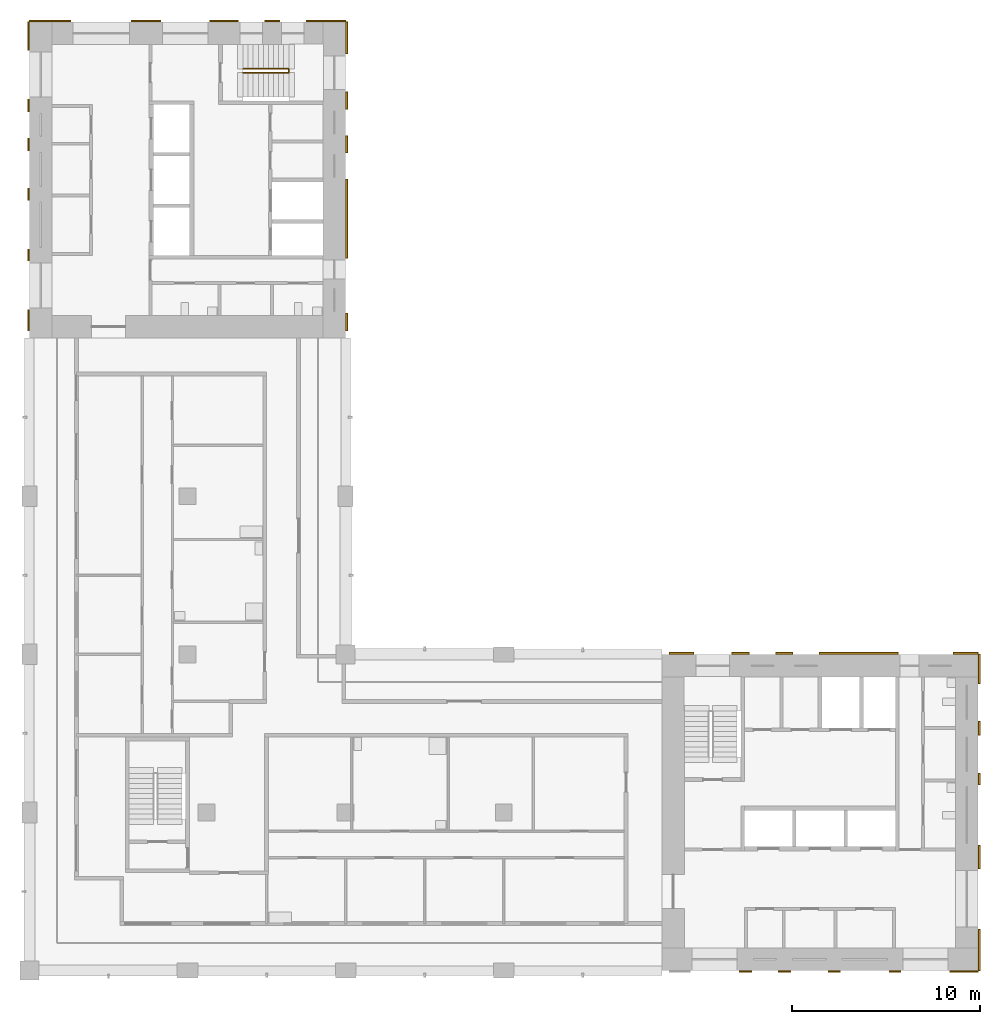
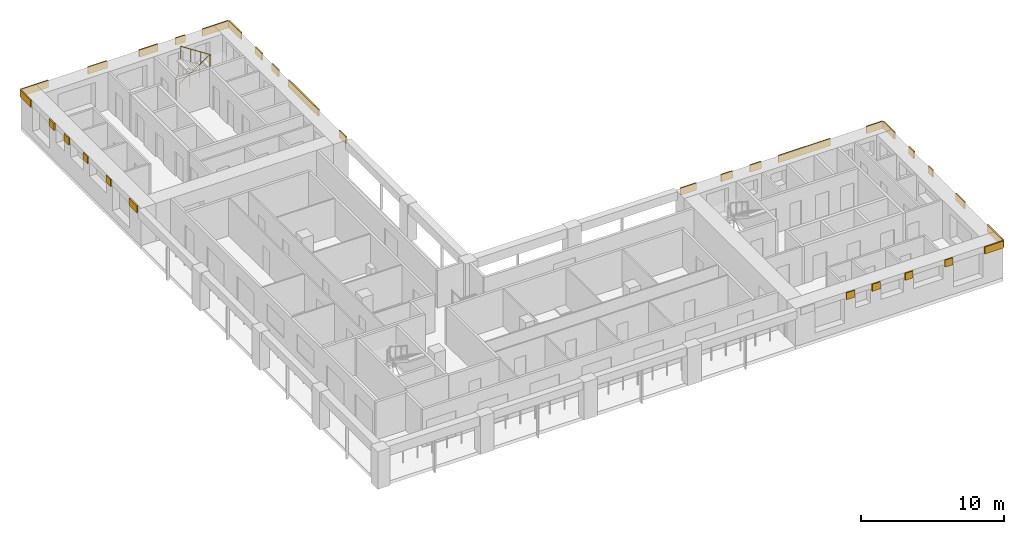
# One storey, part 8 of 9: 31 shading devices, 1 railing.
"""IFC4 building model written with IfcOpenShell, lengths in metres."""

import ifcopenshell
import ifcopenshell.guid

model = None  # the IFC model being written
_history = None  # IfcOwnerHistory: only IFC2X3 demands one
_inside = {}  # id of a spatial element -> (the spatial element, [elements in it])
_under = {}  # id of a project, library or spatial element -> (it, [spatial elements below it])
_declared = {}  # id of a project -> (the project, [libraries it declares])
_typed = {}  # id of a type object -> (the type object, [elements of that type])
_made_of = {}  # id of a material, layer set ... -> (it, [elements and type objects made of it])


def new_model(schema):
    """Start an empty IFC model of exactly this schema.

    Asked for "IFC4X3", IfcOpenShell would pick the latest addendum, in which some entities
    have other attributes; the version numbers below select the first issue.
    IFC2X3 requires an IfcOwnerHistory on every rooted entity: one is made here for all.
    """
    global model, _history
    if schema == "IFC4X3":
        model = ifcopenshell.file(schema_version=(4, 3, 0, 0))
    else:
        model = ifcopenshell.file(schema=schema)
    _inside.clear()
    _under.clear()
    _declared.clear()
    _typed.clear()
    _made_of.clear()
    _history = None
    if model.schema == "IFC2X3":
        org = make("IfcOrganization", Name="unknown")
        user = make(
            "IfcPersonAndOrganization",
            ThePerson=make("IfcPerson", FamilyName="unknown"),
            TheOrganization=org,
        )
        app = make(
            "IfcApplication",
            ApplicationDeveloper=org,
            Version="unknown",
            ApplicationFullName="unknown",
            ApplicationIdentifier="unknown",
        )
        _history = make(
            "IfcOwnerHistory",
            OwningUser=user,
            OwningApplication=app,
            ChangeAction="ADDED",
            CreationDate=0,
        )
    return model


def make(cls, **values):
    """One entity of the class cls with the attributes given. An attribute that is None is left unset."""
    return model.create_entity(
        cls, **{name: value for name, value in values.items() if value is not None}
    )


def rooted(cls, **values):
    """An entity with a GlobalId (a new one), such as an element, a storey or a relation."""
    return make(cls, GlobalId=ifcopenshell.guid.new(), OwnerHistory=_history, **values)


def si_unit(unit_type, name, prefix=None):
    """IfcSIUnit, for example si_unit("LENGTHUNIT", "METRE", prefix="MILLI")."""
    return make("IfcSIUnit", UnitType=unit_type, Prefix=prefix, Name=name)


def assignment(units):
    """IfcUnitAssignment: the units of a project."""
    return None if units is None else make("IfcUnitAssignment", Units=units)


def point(xyz):
    """IfcCartesianPoint."""
    return None if xyz is None else make("IfcCartesianPoint", Coordinates=xyz)


def direction(xyz):
    """IfcDirection."""
    return None if xyz is None else make("IfcDirection", DirectionRatios=xyz)


def frame(location, z_axis=None, x_axis=None):
    """IfcAxis2Placement3D, a coordinate frame: its origin and axes. An axis left out is left unset."""
    return make(
        "IfcAxis2Placement3D",
        Location=point(location),
        Axis=direction(z_axis),
        RefDirection=direction(x_axis),
    )


def frame_2d(location, x_axis=None):
    """IfcAxis2Placement2D, a coordinate frame in the plane: its origin and x axis."""
    return make(
        "IfcAxis2Placement2D", Location=point(location), RefDirection=direction(x_axis)
    )


def origin():
    """The frame at (0, 0, 0) with its axes left unset."""
    return frame((0.0, 0.0, 0.0))


def origin_2d():
    """The frame at (0, 0) in the plane with its x axis left unset."""
    return frame_2d((0.0, 0.0))


def place(relative_to, where):
    """IfcLocalPlacement: puts the frame where relative to a parent placement (None: the world)."""
    return make(
        "IfcLocalPlacement", PlacementRelTo=relative_to, RelativePlacement=where
    )


def context(
    kind, dimensions, precision=None, world=None, true_north=None, identifier=None
):
    """IfcGeometricRepresentationContext, for example the 3D "Model" context."""
    return make(
        "IfcGeometricRepresentationContext",
        ContextIdentifier=identifier,
        ContextType=kind,
        CoordinateSpaceDimension=dimensions,
        Precision=precision,
        WorldCoordinateSystem=world,
        TrueNorth=true_north,
    )


def subcontext(parent, identifier, kind, view, scale=None):
    """IfcGeometricRepresentationSubContext, for example "Body" below "Model"."""
    return make(
        "IfcGeometricRepresentationSubContext",
        ContextIdentifier=identifier,
        ContextType=kind,
        ParentContext=parent,
        TargetScale=scale,
        TargetView=view,
    )


def project(units=None, contexts=None):
    """IfcProject with its units and contexts."""
    return rooted(
        "IfcProject",
        Name="project",
        RepresentationContexts=contexts,
        UnitsInContext=assignment(units),
    )


def spatial(cls, under=None, at=None, **own):
    """A site, building, storey or space (cls), placed at a placement, below another one or the project."""
    s = rooted(cls, ObjectPlacement=at, **own)
    if under is not None:
        _under.setdefault(under.id(), (under, []))[1].append(s)
    return s


def profile(cls, at=None, kind="AREA", **sizes):
    """A parametric profile (cls). Its sizes go by their IFC names, for example OverallWidth=200.0."""
    return make(cls, ProfileType=kind, Position=at, **sizes)


def rectangle(**sizes):
    """IfcRectangleProfileDef."""
    return profile("IfcRectangleProfileDef", **sizes)


def circle(**sizes):
    """IfcCircleProfileDef."""
    return profile("IfcCircleProfileDef", **sizes)


def extrude(swept, where, along, depth):
    """IfcExtrudedAreaSolid: the profile swept, set in the frame where, extruded along a direction by depth."""
    return make(
        "IfcExtrudedAreaSolid",
        SweptArea=swept,
        Position=where,
        ExtrudedDirection=direction(along),
        Depth=depth,
    )


def shape(context_of_items, identifier, shape_type, items):
    """IfcShapeRepresentation: the items that make up one representation, for example the "Body"."""
    return make(
        "IfcShapeRepresentation",
        ContextOfItems=context_of_items,
        RepresentationIdentifier=identifier,
        RepresentationType=shape_type,
        Items=items,
    )


def material(Name=None, Category=None):
    """IfcMaterial."""
    return make("IfcMaterial", Name=Name, Category=Category)


def layer(
    of_material, thickness, ventilated=None, Name=None, Category=None, Priority=None
):
    """IfcMaterialLayer: one layer of a wall or slab, of a material (None: an air gap)."""
    return make(
        "IfcMaterialLayer",
        Material=of_material,
        LayerThickness=thickness,
        IsVentilated=ventilated,
        Name=Name,
        Category=Category,
        Priority=Priority,
    )


def layer_set(layers, Name=None):
    """IfcMaterialLayerSet."""
    return make("IfcMaterialLayerSet", MaterialLayers=layers, LayerSetName=Name)


def made_of(thing, what):
    """Note that an element or type object is made of a material, layer set ...; save() writes the relation."""
    if what is not None:
        _made_of.setdefault(what.id(), (what, []))[1].append(thing)
    return thing


def type_object(cls, material=None, **own):
    """A type object (cls), such as IfcWallType, which elements share."""
    return made_of(rooted(cls, **own), material)


def element(
    cls,
    number,
    at=None,
    inside=None,
    cuts=None,
    type_object=None,
    material=None,
    context=None,
    identifier="Body",
    shape_type=None,
    held_by="IfcProductDefinitionShape",
    body=None,
    shapes=None,
    **own,
):
    """One element of the class cls, such as IfcWall. Its Tag is "e" and its number.

    at: its placement. inside: the storey or other place that contains it. cuts: it is an
    opening in that element (IfcRelVoidsElement). A single representation is given by context,
    identifier, shape_type and body (its items); several are given by shapes. held_by: the class
    of the entity that holds the representations. save() writes the other relations.
    """
    e = rooted(cls, Tag="e%d" % number, ObjectPlacement=at, **own)
    if body is not None:
        shapes = [shape(context, identifier, shape_type, body)]
    if shapes is not None:
        e.Representation = make(held_by, Representations=shapes)
    if inside is not None:
        _inside.setdefault(inside.id(), (inside, []))[1].append(e)
    if cuts is not None:
        rooted(
            "IfcRelVoidsElement", RelatingBuildingElement=cuts, RelatedOpeningElement=e
        )
    if type_object is not None:
        _typed.setdefault(type_object.id(), (type_object, []))[1].append(e)
    return made_of(e, material)


def aggregate(whole, parts):
    """IfcRelAggregates: a whole, such as a stair, and the parts it consists of."""
    return rooted("IfcRelAggregates", RelatingObject=whole, RelatedObjects=parts)


def save(model, path):
    """Write the relations noted so far, then the file.

    IfcRelAggregates (storeys below a building ...), IfcRelContainedInSpatialStructure (elements
    in a storey), IfcRelDefinesByType, IfcRelAssociatesMaterial and IfcRelDeclares: one each for
    every whole, place, type object, material and project.
    """
    for whole, parts in _under.values():
        aggregate(whole, parts)
    for where, things in _inside.values():
        rooted(
            "IfcRelContainedInSpatialStructure",
            RelatedElements=things,
            RelatingStructure=where,
        )
    for kind, things in _typed.values():
        rooted("IfcRelDefinesByType", RelatedObjects=things, RelatingType=kind)
    for what, things in _made_of.values():
        rooted("IfcRelAssociatesMaterial", RelatedObjects=things, RelatingMaterial=what)
    for by, libraries in _declared.values():
        rooted("IfcRelDeclares", RelatingContext=by, RelatedDefinitions=libraries)
    model.write(path)


model = new_model("IFC4")

# Units and contexts
model_context = context("Model", 3, precision=1e-05, world=origin(), true_north=direction((0.0, 1.0)))
body_context = subcontext(model_context, "Body", "Model", "MODEL_VIEW")
ifc_project = project(units=[si_unit("LENGTHUNIT", "METRE"), si_unit("AREAUNIT", "SQUARE_METRE"), si_unit("VOLUMEUNIT", "CUBIC_METRE"), si_unit("PLANEANGLEUNIT", "RADIAN"), si_unit("MASSUNIT", "GRAM", prefix="KILO")], contexts=[model_context])

# Site, building, storey
site_placement = place(None, origin())
site = spatial("IfcSite", under=ifc_project, at=site_placement, CompositionType="ELEMENT")
building_placement = place(site_placement, origin())
building = spatial("IfcBuilding", under=site, at=building_placement, Name="Vermilion Gate Residences", CompositionType="ELEMENT")
storey_placement = place(building_placement, frame((0.0, 0.0, 228.199951171875)))
storey = spatial("IfcBuildingStorey", under=building, at=storey_placement, Name="L59", CompositionType="ELEMENT", Elevation=228.199951171875)

# Railing
ifc_material_1 = material(Name="Steel S355", Category="steel")
railing_type = type_object("IfcRailingType", Name="STAIR GUARD 1100 STEEL", PredefinedType="GUARDRAIL", material=ifc_material_1)
railing_placement = place(storey_placement, frame((19.75, 56.300048828125, 0.175048828125)))
element("IfcRailing", 1, at=railing_placement, inside=storey, type_object=railing_type, Name="Stair well guard STB1-59", PredefinedType="GUARDRAIL", context=body_context, shape_type="SweptSolid", body=[
    extrude(circle(Radius=0.02392578125, at=origin_2d()), frame((0.0, 0.0, 1.076171875), z_axis=(0.839153699163, 0.0, 0.543894354798), x_axis=(0.0, 1.0, 0.0)), (0.0, 0.0, 1.0), 2.895751953125),
    extrude(circle(Radius=0.02392578125, at=origin_2d()), frame((2.429931640625, 0.0, 2.65087890625), z_axis=(0.0, -0.752405939678, 0.658699705433), x_axis=(1.0, 0.0, 0.0)), (0.0, 0.0, 1.0), 0.265869140625),
    extrude(circle(Radius=0.02392578125, at=origin_2d()), frame((2.429931640625, -0.199951171875, 2.826171875), z_axis=(-0.839153699163, 0.0, 0.543894354798), x_axis=(0.0, -1.0, 0.0)), (0.0, 0.0, 1.0), 2.895751953125),
    extrude(circle(Radius=0.02099609375, at=origin_2d()), origin(), (0.0, 0.0, 1.0), 1.052001953125),
    extrude(circle(Radius=0.02099609375, at=origin_2d()), frame((0.81005859375, 0.0, 0.52490234375)), (0.0, 0.0, 1.0), 1.052001953125),
    extrude(circle(Radius=0.02099609375, at=origin_2d()), frame((1.619873046875, 0.0, 1.050048828125)), (0.0, 0.0, 1.0), 1.052001953125),
    extrude(circle(Radius=0.02099609375, at=origin_2d()), frame((2.429931640625, 0.0, 1.574951171875)), (0.0, 0.0, 1.0), 1.052001953125),
    extrude(circle(Radius=0.02099609375, at=origin_2d()), frame((2.429931640625, -0.199951171875, 1.75)), (0.0, 0.0, 1.0), 1.052001953125),
    extrude(circle(Radius=0.02099609375, at=origin_2d()), frame((1.619873046875, -0.199951171875, 2.27490234375)), (0.0, 0.0, 1.0), 1.052001953125),
    extrude(circle(Radius=0.02099609375, at=origin_2d()), frame((0.81005859375, -0.199951171875, 2.800048828125)), (0.0, 0.0, 1.0), 1.052001953125),
    extrude(circle(Radius=0.02099609375, at=origin_2d()), frame((0.0, -0.199951171875, 3.324951171875)), (0.0, 0.0, 1.0), 1.052001953125),
])

# Shading devices
ifc_material_2 = material(Name="Extruded terracotta", Category="masonry")
ifc_layer = layer(ifc_material_2, 0.10009765625)
ifc_layer_set = layer_set([ifc_layer], Name="TERRACOTTA SPANDREL BAND 600 X 100")
shading_device_type = type_object("IfcShadingDeviceType", Name="TERRACOTTA SPANDREL BAND 600 X 100", PredefinedType="USERDEFINED", material=ifc_layer_set)
shading_device_1_placement = place(storey_placement, frame((46.4375, 8.35009765625, 2.6201171875), z_axis=(0.0, 0.0, 1.0), x_axis=(1.0, 0.0, 0.0)))
element("IfcShadingDevice", 2, at=shading_device_1_placement, inside=storey, type_object=shading_device_type, Name="SPANDREL BAND", ObjectType="BAND", PredefinedType="USERDEFINED", context=body_context, shape_type="SweptSolid", body=[
    extrude(rectangle(XDim=0.675048828125, YDim=0.10009765625, at=origin_2d()), origin(), (0.0, 0.0, 1.0), 0.60009765625),
])
shading_device_2_placement = place(storey_placement, frame((48.510009765625, 8.35009765625, 2.6201171875), z_axis=(0.0, 0.0, 1.0), x_axis=(1.0, 0.0, 0.0)))
element("IfcShadingDevice", 3, at=shading_device_2_placement, inside=storey, type_object=shading_device_type, Name="SPANDREL BAND", ObjectType="BAND", PredefinedType="USERDEFINED", context=body_context, shape_type="SweptSolid", body=[
    extrude(rectangle(XDim=0.669921875, YDim=0.10009765625, at=origin_2d()), origin(), (0.0, 0.0, 1.0), 0.60009765625),
])
shading_device_3_placement = place(storey_placement, frame((51.157470703125, 8.35009765625, 2.6201171875), z_axis=(0.0, 0.0, 1.0), x_axis=(1.0, 0.0, 0.0)))
element("IfcShadingDevice", 4, at=shading_device_3_placement, inside=storey, type_object=shading_device_type, Name="SPANDREL BAND", ObjectType="BAND", PredefinedType="USERDEFINED", context=body_context, shape_type="SweptSolid", body=[
    extrude(rectangle(XDim=0.625, YDim=0.10009765625, at=origin_2d()), origin(), (0.0, 0.0, 1.0), 0.60009765625),
])
shading_device_4_placement = place(storey_placement, frame((54.385009765625, 8.35009765625, 2.6201171875), z_axis=(0.0, 0.0, 1.0), x_axis=(1.0, 0.0, 0.0)))
element("IfcShadingDevice", 5, at=shading_device_4_placement, inside=storey, type_object=shading_device_type, Name="SPANDREL BAND", ObjectType="BAND", PredefinedType="USERDEFINED", context=body_context, shape_type="SweptSolid", body=[
    extrude(rectangle(XDim=0.6298828125, YDim=0.10009765625, at=origin_2d()), origin(), (0.0, 0.0, 1.0), 0.60009765625),
])
shading_device_5_placement = place(storey_placement, frame((58.050048828125, 8.35009765625, 2.6201171875), z_axis=(0.0, 0.0, 1.0), x_axis=(1.0, 0.0, 0.0)))
element("IfcShadingDevice", 6, at=shading_device_5_placement, inside=storey, type_object=shading_device_type, Name="SPANDREL BAND", ObjectType="BAND", PredefinedType="USERDEFINED", context=body_context, shape_type="SweptSolid", body=[
    extrude(rectangle(XDim=1.5, YDim=0.10009765625, at=origin_2d()), origin(), (0.0, 0.0, 1.0), 0.60009765625),
])
shading_device_6_placement = place(storey_placement, frame((43.050048828125, 25.25, 2.6201171875), z_axis=(0.0, 0.0, 1.0), x_axis=(1.0, 0.0, 0.0)))
element("IfcShadingDevice", 7, at=shading_device_6_placement, inside=storey, type_object=shading_device_type, Name="SPANDREL BAND", ObjectType="BAND", PredefinedType="USERDEFINED", context=body_context, shape_type="SweptSolid", body=[
    extrude(rectangle(XDim=1.300048828125, YDim=0.10009765625, at=origin_2d()), origin(), (0.0, 0.0, 1.0), 0.60009765625),
])
shading_device_7_placement = place(storey_placement, frame((46.168701171875, 25.25, 2.6201171875), z_axis=(0.0, 0.0, 1.0), x_axis=(1.0, 0.0, 0.0)))
element("IfcShadingDevice", 8, at=shading_device_7_placement, inside=storey, type_object=shading_device_type, Name="SPANDREL BAND", ObjectType="BAND", PredefinedType="USERDEFINED", context=body_context, shape_type="SweptSolid", body=[
    extrude(rectangle(XDim=0.9375, YDim=0.10009765625, at=origin_2d()), origin(), (0.0, 0.0, 1.0), 0.60009765625),
])
shading_device_8_placement = place(storey_placement, frame((48.49365234375, 25.25, 2.6201171875), z_axis=(0.0, 0.0, 1.0), x_axis=(1.0, 0.0, 0.0)))
element("IfcShadingDevice", 9, at=shading_device_8_placement, inside=storey, type_object=shading_device_type, Name="SPANDREL BAND", ObjectType="BAND", PredefinedType="USERDEFINED", context=body_context, shape_type="SweptSolid", body=[
    extrude(rectangle(XDim=0.91259765625, YDim=0.10009765625, at=origin_2d()), origin(), (0.0, 0.0, 1.0), 0.60009765625),
])
shading_device_9_placement = place(storey_placement, frame((52.449951171875, 25.25, 2.6201171875), z_axis=(0.0, 0.0, 1.0), x_axis=(1.0, 0.0, 0.0)))
element("IfcShadingDevice", 10, at=shading_device_9_placement, inside=storey, type_object=shading_device_type, Name="SPANDREL BAND", ObjectType="BAND", PredefinedType="USERDEFINED", context=body_context, shape_type="SweptSolid", body=[
    extrude(rectangle(XDim=4.199951171875, YDim=0.10009765625, at=origin_2d()), origin(), (0.0, 0.0, 1.0), 0.60009765625),
])
shading_device_10_placement = place(storey_placement, frame((58.137451171875, 25.25, 2.6201171875), z_axis=(0.0, 0.0, 1.0), x_axis=(1.0, 0.0, 0.0)))
element("IfcShadingDevice", 11, at=shading_device_10_placement, inside=storey, type_object=shading_device_type, Name="SPANDREL BAND", ObjectType="BAND", PredefinedType="USERDEFINED", context=body_context, shape_type="SweptSolid", body=[
    extrude(rectangle(XDim=1.324951171875, YDim=0.10009765625, at=origin_2d()), origin(), (0.0, 0.0, 1.0), 0.60009765625),
])
shading_device_11_placement = place(storey_placement, frame((58.85009765625, 9.50244140625, 2.6201171875), z_axis=(0.0, 0.0, 1.0), x_axis=(0.0, 1.0, 0.0)))
element("IfcShadingDevice", 12, at=shading_device_11_placement, inside=storey, type_object=shading_device_type, Name="SPANDREL BAND", ObjectType="BAND", PredefinedType="USERDEFINED", context=body_context, shape_type="SweptSolid", body=[
    extrude(rectangle(XDim=2.205078125, YDim=0.10009765625, at=origin_2d()), origin(), (0.0, 0.0, 1.0), 0.60009765625),
])
shading_device_12_placement = place(storey_placement, frame((58.85009765625, 14.4326171875, 2.6201171875), z_axis=(0.0, 0.0, 1.0), x_axis=(0.0, 1.0, 0.0)))
element("IfcShadingDevice", 13, at=shading_device_12_placement, inside=storey, type_object=shading_device_type, Name="SPANDREL BAND", ObjectType="BAND", PredefinedType="USERDEFINED", context=body_context, shape_type="SweptSolid", body=[
    extrude(rectangle(XDim=1.2548828125, YDim=0.10009765625, at=origin_2d()), origin(), (0.0, 0.0, 1.0), 0.60009765625),
])
shading_device_13_placement = place(storey_placement, frame((58.85009765625, 18.574951171875, 2.6201171875), z_axis=(0.0, 0.0, 1.0), x_axis=(0.0, 1.0, 0.0)))
element("IfcShadingDevice", 14, at=shading_device_13_placement, inside=storey, type_object=shading_device_type, Name="SPANDREL BAND", ObjectType="BAND", PredefinedType="USERDEFINED", context=body_context, shape_type="SweptSolid", body=[
    extrude(rectangle(XDim=0.6298828125, YDim=0.10009765625, at=origin_2d()), origin(), (0.0, 0.0, 1.0), 0.60009765625),
])
shading_device_14_placement = place(storey_placement, frame((58.85009765625, 21.27001953125, 2.6201171875), z_axis=(0.0, 0.0, 1.0), x_axis=(0.0, 1.0, 0.0)))
element("IfcShadingDevice", 15, at=shading_device_14_placement, inside=storey, type_object=shading_device_type, Name="SPANDREL BAND", ObjectType="BAND", PredefinedType="USERDEFINED", context=body_context, shape_type="SweptSolid", body=[
    extrude(rectangle(XDim=0.760009765625, YDim=0.10009765625, at=origin_2d()), origin(), (0.0, 0.0, 1.0), 0.60009765625),
])
shading_device_15_placement = place(storey_placement, frame((58.85009765625, 24.425048828125, 2.6201171875), z_axis=(0.0, 0.0, 1.0), x_axis=(0.0, 1.0, 0.0)))
element("IfcShadingDevice", 16, at=shading_device_15_placement, inside=storey, type_object=shading_device_type, Name="SPANDREL BAND", ObjectType="BAND", PredefinedType="USERDEFINED", context=body_context, shape_type="SweptSolid", body=[
    extrude(rectangle(XDim=1.550048828125, YDim=0.10009765625, at=origin_2d()), origin(), (0.0, 0.0, 1.0), 0.60009765625),
])
shading_device_16_placement = place(storey_placement, frame((9.50244140625, 58.85009765625, 2.6201171875), z_axis=(0.0, 0.0, 1.0), x_axis=(1.0, 0.0, 0.0)))
element("IfcShadingDevice", 17, at=shading_device_16_placement, inside=storey, type_object=shading_device_type, Name="SPANDREL BAND", ObjectType="BAND", PredefinedType="USERDEFINED", context=body_context, shape_type="SweptSolid", body=[
    extrude(rectangle(XDim=2.205078125, YDim=0.10009765625, at=origin_2d()), origin(), (0.0, 0.0, 1.0), 0.60009765625),
])
shading_device_17_placement = place(storey_placement, frame((14.590087890625, 58.85009765625, 2.6201171875), z_axis=(0.0, 0.0, 1.0), x_axis=(1.0, 0.0, 0.0)))
element("IfcShadingDevice", 18, at=shading_device_17_placement, inside=storey, type_object=shading_device_type, Name="SPANDREL BAND", ObjectType="BAND", PredefinedType="USERDEFINED", context=body_context, shape_type="SweptSolid", body=[
    extrude(rectangle(XDim=1.570068359375, YDim=0.10009765625, at=origin_2d()), origin(), (0.0, 0.0, 1.0), 0.60009765625),
])
shading_device_18_placement = place(storey_placement, frame((18.734130859375, 58.85009765625, 2.6201171875), z_axis=(0.0, 0.0, 1.0), x_axis=(1.0, 0.0, 0.0)))
element("IfcShadingDevice", 19, at=shading_device_18_placement, inside=storey, type_object=shading_device_type, Name="SPANDREL BAND", ObjectType="BAND", PredefinedType="USERDEFINED", context=body_context, shape_type="SweptSolid", body=[
    extrude(rectangle(XDim=1.518310546875, YDim=0.10009765625, at=origin_2d()), origin(), (0.0, 0.0, 1.0), 0.60009765625),
])
shading_device_19_placement = place(storey_placement, frame((21.294921875, 58.85009765625, 2.6201171875), z_axis=(0.0, 0.0, 1.0), x_axis=(1.0, 0.0, 0.0)))
element("IfcShadingDevice", 20, at=shading_device_19_placement, inside=storey, type_object=shading_device_type, Name="SPANDREL BAND", ObjectType="BAND", PredefinedType="USERDEFINED", context=body_context, shape_type="SweptSolid", body=[
    extrude(rectangle(XDim=0.803466796875, YDim=0.10009765625, at=origin_2d()), origin(), (0.0, 0.0, 1.0), 0.60009765625),
])
shading_device_20_placement = place(storey_placement, frame((24.1484375, 58.85009765625, 2.6201171875), z_axis=(0.0, 0.0, 1.0), x_axis=(1.0, 0.0, 0.0)))
element("IfcShadingDevice", 21, at=shading_device_20_placement, inside=storey, type_object=shading_device_type, Name="SPANDREL BAND", ObjectType="BAND", PredefinedType="USERDEFINED", context=body_context, shape_type="SweptSolid", body=[
    extrude(rectangle(XDim=2.103271484375, YDim=0.10009765625, at=origin_2d()), origin(), (0.0, 0.0, 1.0), 0.60009765625),
])
shading_device_21_placement = place(storey_placement, frame((8.35009765625, 42.949951171875, 2.6201171875), z_axis=(0.0, 0.0, 1.0), x_axis=(0.0, 1.0, 0.0)))
element("IfcShadingDevice", 22, at=shading_device_21_placement, inside=storey, type_object=shading_device_type, Name="SPANDREL BAND", ObjectType="BAND", PredefinedType="USERDEFINED", context=body_context, shape_type="SweptSolid", body=[
    extrude(rectangle(XDim=1.10009765625, YDim=0.10009765625, at=origin_2d()), origin(), (0.0, 0.0, 1.0), 0.60009765625),
])
shading_device_22_placement = place(storey_placement, frame((8.35009765625, 46.4150390625, 2.6201171875), z_axis=(0.0, 0.0, 1.0), x_axis=(0.0, 1.0, 0.0)))
element("IfcShadingDevice", 23, at=shading_device_22_placement, inside=storey, type_object=shading_device_type, Name="SPANDREL BAND", ObjectType="BAND", PredefinedType="USERDEFINED", context=body_context, shape_type="SweptSolid", body=[
    extrude(rectangle(XDim=0.6298828125, YDim=0.10009765625, at=origin_2d()), origin(), (0.0, 0.0, 1.0), 0.60009765625),
])
shading_device_23_placement = place(storey_placement, frame((8.35009765625, 49.642578125, 2.6201171875), z_axis=(0.0, 0.0, 1.0), x_axis=(0.0, 1.0, 0.0)))
element("IfcShadingDevice", 24, at=shading_device_23_placement, inside=storey, type_object=shading_device_type, Name="SPANDREL BAND", ObjectType="BAND", PredefinedType="USERDEFINED", context=body_context, shape_type="SweptSolid", body=[
    extrude(rectangle(XDim=0.625, YDim=0.10009765625, at=origin_2d()), origin(), (0.0, 0.0, 1.0), 0.60009765625),
])
shading_device_24_placement = place(storey_placement, frame((8.35009765625, 52.2900390625, 2.6201171875), z_axis=(0.0, 0.0, 1.0), x_axis=(0.0, 1.0, 0.0)))
element("IfcShadingDevice", 25, at=shading_device_24_placement, inside=storey, type_object=shading_device_type, Name="SPANDREL BAND", ObjectType="BAND", PredefinedType="USERDEFINED", context=body_context, shape_type="SweptSolid", body=[
    extrude(rectangle(XDim=0.669921875, YDim=0.10009765625, at=origin_2d()), origin(), (0.0, 0.0, 1.0), 0.60009765625),
])
shading_device_25_placement = place(storey_placement, frame((8.35009765625, 54.362548828125, 2.6201171875), z_axis=(0.0, 0.0, 1.0), x_axis=(0.0, 1.0, 0.0)))
element("IfcShadingDevice", 26, at=shading_device_25_placement, inside=storey, type_object=shading_device_type, Name="SPANDREL BAND", ObjectType="BAND", PredefinedType="USERDEFINED", context=body_context, shape_type="SweptSolid", body=[
    extrude(rectangle(XDim=0.675048828125, YDim=0.10009765625, at=origin_2d()), origin(), (0.0, 0.0, 1.0), 0.60009765625),
])
shading_device_26_placement = place(storey_placement, frame((8.35009765625, 58.050048828125, 2.6201171875), z_axis=(0.0, 0.0, 1.0), x_axis=(0.0, 1.0, 0.0)))
element("IfcShadingDevice", 27, at=shading_device_26_placement, inside=storey, type_object=shading_device_type, Name="SPANDREL BAND", ObjectType="BAND", PredefinedType="USERDEFINED", context=body_context, shape_type="SweptSolid", body=[
    extrude(rectangle(XDim=1.5, YDim=0.10009765625, at=origin_2d()), origin(), (0.0, 0.0, 1.0), 0.60009765625),
])
shading_device_27_placement = place(storey_placement, frame((25.25, 42.862548828125, 2.6201171875), z_axis=(0.0, 0.0, 1.0), x_axis=(0.0, 1.0, 0.0)))
element("IfcShadingDevice", 28, at=shading_device_27_placement, inside=storey, type_object=shading_device_type, Name="SPANDREL BAND", ObjectType="BAND", PredefinedType="USERDEFINED", context=body_context, shape_type="SweptSolid", body=[
    extrude(rectangle(XDim=0.925048828125, YDim=0.10009765625, at=origin_2d()), origin(), (0.0, 0.0, 1.0), 0.60009765625),
])
shading_device_28_placement = place(storey_placement, frame((25.25, 48.35009765625, 2.6201171875), z_axis=(0.0, 0.0, 1.0), x_axis=(0.0, 1.0, 0.0)))
element("IfcShadingDevice", 29, at=shading_device_28_placement, inside=storey, type_object=shading_device_type, Name="SPANDREL BAND", ObjectType="BAND", PredefinedType="USERDEFINED", context=body_context, shape_type="SweptSolid", body=[
    extrude(rectangle(XDim=4.199951171875, YDim=0.10009765625, at=origin_2d()), origin(), (0.0, 0.0, 1.0), 0.60009765625),
])
shading_device_29_placement = place(storey_placement, frame((25.25, 52.30615234375, 2.6201171875), z_axis=(0.0, 0.0, 1.0), x_axis=(0.0, 1.0, 0.0)))
element("IfcShadingDevice", 30, at=shading_device_29_placement, inside=storey, type_object=shading_device_type, Name="SPANDREL BAND", ObjectType="BAND", PredefinedType="USERDEFINED", context=body_context, shape_type="SweptSolid", body=[
    extrude(rectangle(XDim=0.91259765625, YDim=0.10009765625, at=origin_2d()), origin(), (0.0, 0.0, 1.0), 0.60009765625),
])
shading_device_30_placement = place(storey_placement, frame((25.25, 54.631103515625, 2.6201171875), z_axis=(0.0, 0.0, 1.0), x_axis=(0.0, 1.0, 0.0)))
element("IfcShadingDevice", 31, at=shading_device_30_placement, inside=storey, type_object=shading_device_type, Name="SPANDREL BAND", ObjectType="BAND", PredefinedType="USERDEFINED", context=body_context, shape_type="SweptSolid", body=[
    extrude(rectangle(XDim=0.9375, YDim=0.10009765625, at=origin_2d()), origin(), (0.0, 0.0, 1.0), 0.60009765625),
])
shading_device_31_placement = place(storey_placement, frame((25.25, 57.949951171875, 2.6201171875), z_axis=(0.0, 0.0, 1.0), x_axis=(0.0, 1.0, 0.0)))
element("IfcShadingDevice", 32, at=shading_device_31_placement, inside=storey, type_object=shading_device_type, Name="SPANDREL BAND", ObjectType="BAND", PredefinedType="USERDEFINED", context=body_context, shape_type="SweptSolid", body=[
    extrude(rectangle(XDim=1.699951171875, YDim=0.10009765625, at=origin_2d()), origin(), (0.0, 0.0, 1.0), 0.60009765625),
])

save(model, "model.ifc")
